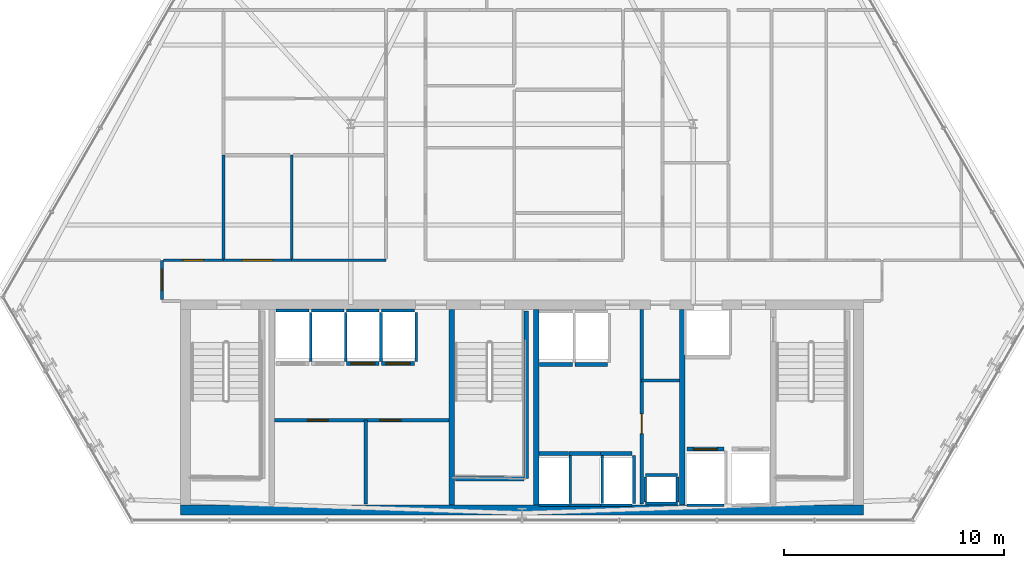
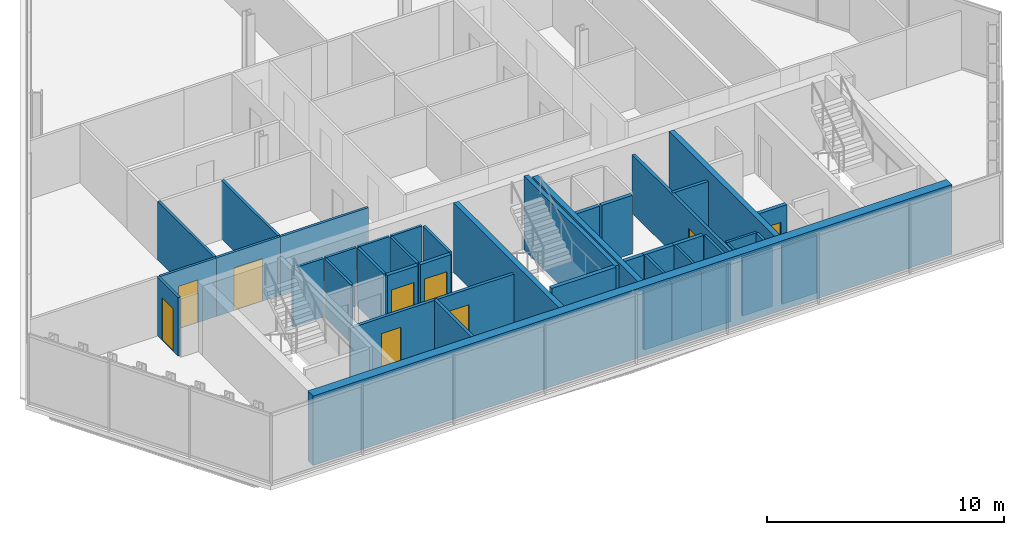
# One storey, part 25 of 31: 43 walls, 9 doors, 9 openings.
"""IFC4 building model written with IfcOpenShell, lengths in metres."""

from ifc_helpers import new_model, si_unit, direction, frame, frame_2d, origin, place, context, subcontext, project, spatial, rectangle, extrude, material, layer, layer_set, type_object, element, fill, save


model = new_model("IFC4")

# Units and contexts
model_context = context("Model", 3, precision=1e-05, world=origin(), true_north=direction((0.0, 1.0)))
body_context = subcontext(model_context, "Body", "Model", "MODEL_VIEW")
ifc_project = project(units=[si_unit("LENGTHUNIT", "METRE"), si_unit("AREAUNIT", "SQUARE_METRE"), si_unit("VOLUMEUNIT", "CUBIC_METRE"), si_unit("PLANEANGLEUNIT", "RADIAN"), si_unit("MASSUNIT", "GRAM", prefix="KILO")], contexts=[model_context])

# Site, building, storey
site_placement = place(None, origin())
site = spatial("IfcSite", under=ifc_project, at=site_placement, CompositionType="ELEMENT")
building_placement = place(site_placement, origin())
building = spatial("IfcBuilding", under=site, at=building_placement, Name="Ndaravel Arena Tower", CompositionType="ELEMENT")
storey_placement = place(building_placement, frame((0.0, 0.0, 138.39990234375)))
storey = spatial("IfcBuildingStorey", under=building, at=storey_placement, Name="L32", CompositionType="ELEMENT", Elevation=138.39990234375)

# Wall, opening, door
ifc_material_1 = material(Name="Gypsum", Category="gypsum")
ifc_layer_1 = layer(ifc_material_1, 0.14990234375)
ifc_layer_set_1 = layer_set([ifc_layer_1], Name="Gypsum")
wall_type_1 = type_object("IfcWallType", Name="WALL-COMP-150", PredefinedType="PARTITIONING", material=ifc_layer_set_1)
wall_1_placement = place(storey_placement, frame((47.449951171875, 5.89990234375, 0.0), z_axis=(0.0, 0.0, 1.0), x_axis=(0.0, 1.0, 0.0)))
wall_1 = element("IfcWall", 1, at=wall_1_placement, inside=storey, type_object=wall_type_1, Name="L32 Core Riser Bay Partition", PredefinedType="PARTITIONING", context=body_context, shape_type="SweptSolid", body=[
    extrude(rectangle(XDim=8.85009765625, YDim=0.14990234375, at=frame_2d((4.425048828125, 0.0))), origin(), (0.0, 0.0, 1.0), 3.010498046875),
])
opening_1_placement = place(wall_1_placement, frame((3.199951171875, 0.0, 0.0)))
opening_1 = element("IfcOpeningElement", 2, at=opening_1_placement, cuts=wall_1, Name="Opening RD-01", PredefinedType="OPENING", context=body_context, shape_type="SweptSolid", body=[
    extrude(rectangle(XDim=0.89990234375, YDim=2.10009765625, at=frame_2d((0.449951171875, 1.050048828125))), frame((0.0, 0.074951171875, 0.0), z_axis=(0.0, -1.0, 0.0), x_axis=(1.0, 0.0, 0.0)), (0.0, 0.0, 1.0), 0.14990234375),
])
ifc_material_2 = material(Name="Steel S355", Category="steel")
door_type_1 = type_object("IfcDoorType", Name="DT-08-RISER-900", OperationType="SINGLE_SWING_LEFT", PredefinedType="DOOR", material=ifc_material_2)
door_1_placement = place(opening_1_placement, origin())
door_1 = element("IfcDoor", 3, at=door_1_placement, inside=storey, type_object=door_type_1, Name="L32 Sub-Metering Closet Door", OperationType="SINGLE_SWING_LEFT", OverallHeight=2.10009765625, OverallWidth=0.89990234375, PredefinedType="DOOR", context=body_context, shape_type="SweptSolid", body=[
    extrude(rectangle(XDim=0.89990234375, YDim=2.10009765625, at=frame_2d((0.449951171875, 1.050048828125))), frame((0.0, 0.02490234375, 0.0), z_axis=(0.0, -1.0, 0.0), x_axis=(1.0, 0.0, 0.0)), (0.0, 0.0, 1.0), 0.050048828125),
])
fill(opening_1, door_1)

# Wall
wall_2_placement = place(storey_placement, frame((47.449951171875, 11.52001953125, 0.0), z_axis=(0.0, 0.0, 1.0), x_axis=(1.0, 0.0, 0.0)))
element("IfcWall", 4, at=wall_2_placement, inside=storey, type_object=wall_type_1, Name="L32 Core Riser Divider 1", PredefinedType="PARTITIONING", context=body_context, shape_type="SweptSolid", body=[
    extrude(rectangle(XDim=1.72998046875, YDim=0.14990234375, at=frame_2d((0.864990234375, 0.0))), origin(), (0.0, 0.0, 1.0), 3.010498046875),
])

# Wall, openings, doors
wall_3_placement = place(storey_placement, frame((30.719970703125, 9.719970703125, 0.0), z_axis=(0.0, 0.0, 1.0), x_axis=(1.0, 0.0, 0.0)))
wall_3 = element("IfcWall", 5, at=wall_3_placement, inside=storey, type_object=wall_type_1, Name="L32 Reclaimed Shaft Partition", PredefinedType="PARTITIONING", context=body_context, shape_type="SweptSolid", body=[
    extrude(rectangle(XDim=7.9599609375, YDim=0.14990234375, at=frame_2d((3.97998046875, 0.0))), origin(), (0.0, 0.0, 1.0), 3.010498046875),
])
opening_2_placement = place(wall_3_placement, frame((1.5, 0.0, 0.0)))
opening_2 = element("IfcOpeningElement", 6, at=opening_2_placement, cuts=wall_3, Name="Opening FD-03", PredefinedType="OPENING", context=body_context, shape_type="SweptSolid", body=[
    extrude(rectangle(XDim=0.949951171875, YDim=2.199951171875, at=frame_2d((0.47509765625, 1.10009765625))), frame((0.0, 0.074951171875, 0.0), z_axis=(0.0, -1.0, 0.0), x_axis=(1.0, 0.0, 0.0)), (0.0, 0.0, 1.0), 0.14990234375),
])
opening_3_placement = place(wall_3_placement, frame((4.81005859375, 0.0, 0.0)))
opening_3 = element("IfcOpeningElement", 7, at=opening_3_placement, cuts=wall_3, Name="Opening FD-03", PredefinedType="OPENING", context=body_context, shape_type="SweptSolid", body=[
    extrude(rectangle(XDim=0.949951171875, YDim=2.199951171875, at=frame_2d((0.47509765625, 1.10009765625))), frame((0.0, 0.074951171875, 0.0), z_axis=(0.0, -1.0, 0.0), x_axis=(1.0, 0.0, 0.0)), (0.0, 0.0, 1.0), 0.14990234375),
])
ifc_material_3 = material(Name="Steel S355", Category="steel")
door_type_2 = type_object("IfcDoorType", Name="DT-11-CORE-950", OperationType="SINGLE_SWING_LEFT", PredefinedType="DOOR", material=ifc_material_3)
door_2_placement = place(opening_2_placement, origin())
door_2 = element("IfcDoor", 8, at=door_2_placement, inside=storey, type_object=door_type_2, Name="L32 ICT Server Room Door", OperationType="SINGLE_SWING_LEFT", OverallHeight=2.199951171875, OverallWidth=0.949951171875, PredefinedType="DOOR", context=body_context, shape_type="SweptSolid", body=[
    extrude(rectangle(XDim=0.949951171875, YDim=2.199951171875, at=frame_2d((0.47509765625, 1.10009765625))), frame((0.0, 0.02490234375, 0.0), z_axis=(0.0, -1.0, 0.0), x_axis=(1.0, 0.0, 0.0)), (0.0, 0.0, 1.0), 0.050048828125),
])
fill(opening_2, door_2)
door_3_placement = place(opening_3_placement, origin())
door_3 = element("IfcDoor", 9, at=door_3_placement, inside=storey, type_object=door_type_2, Name="L32 Core Archive Room Door", OperationType="SINGLE_SWING_RIGHT", OverallHeight=2.199951171875, OverallWidth=0.949951171875, PredefinedType="DOOR", context=body_context, shape_type="SweptSolid", body=[
    extrude(rectangle(XDim=0.949951171875, YDim=2.199951171875, at=frame_2d((0.47509765625, 1.10009765625))), frame((0.0, 0.02490234375, 0.0), z_axis=(0.0, -1.0, 0.0), x_axis=(1.0, 0.0, 0.0)), (0.0, 0.0, 1.0), 0.050048828125),
])
fill(opening_3, door_3)

# Walls
wall_4_placement = place(storey_placement, frame((34.8798828125, 5.89990234375, 0.0), z_axis=(0.0, 0.0, 1.0), x_axis=(0.0, 1.0, 0.0)))
element("IfcWall", 10, at=wall_4_placement, inside=storey, type_object=wall_type_1, Name="L32 Reclaimed Bay Divider", PredefinedType="PARTITIONING", context=body_context, shape_type="SweptSolid", body=[
    extrude(rectangle(XDim=3.820068359375, YDim=0.14990234375, at=frame_2d((1.91015625, 0.0))), origin(), (0.0, 0.0, 1.0), 3.010498046875),
])
ifc_material_4 = material(Name="Concrete C60/75", Category="concrete")
ifc_layer_2 = layer(ifc_material_4, 0.25)
ifc_layer_set_2 = layer_set([ifc_layer_2], Name="Concrete C60/75")
wall_type_2 = type_object("IfcWallType", Name="WALL-CORE-250", PredefinedType="SOLIDWALL", material=ifc_layer_set_2)
for number, where, z_axis, x_axis, name in (
    (11, (38.800048828125, 5.85009765625, 0.0), (0.0, 0.0, 1.0), (0.0, 1.0, 0.0), "L32 Core Web Shear Wall 2"),
    (12, (42.64990234375, 5.85009765625, 0.0), (0.0, 0.0, 1.0), (0.0, 1.0, 0.0), "L32 Core Web Shear Wall 3"),
    (13, (49.300048828125, 5.85009765625, 0.0), (0.0, 0.0, 1.0), (0.0, 1.0, 0.0), "L32 Core Web Shear Wall 4"),
):
    element("IfcWall", number, at=place(storey_placement, frame(where, z_axis=z_axis, x_axis=x_axis)), inside=storey, type_object=wall_type_2, Name=name, PredefinedType="SOLIDWALL", context=body_context, shape_type="SweptSolid", body=[
        extrude(rectangle(XDim=8.89990234375, YDim=0.25, at=frame_2d((4.449951171875, 0.0))), origin(), (0.0, 0.0, 1.0), 3.580078125),
    ])
ifc_material_5 = material(Name="Concrete C60/75", Category="concrete")
ifc_layer_3 = layer(ifc_material_5, 0.449951171875)
ifc_layer_set_3 = layer_set([ifc_layer_3], Name="Concrete C60/75")
wall_type_3 = type_object("IfcWallType", Name="WALL-CORE-450", PredefinedType="SOLIDWALL", material=ifc_layer_set_3)
wall_5_placement = place(storey_placement, frame((26.449951171875, 5.625, 0.0), z_axis=(0.0, 0.0, 1.0), x_axis=(1.0, 0.0, 0.0)))
element("IfcWall", 14, at=wall_5_placement, inside=storey, type_object=wall_type_3, Name="L32 Core South Shear Wall", PredefinedType="SOLIDWALL", context=body_context, shape_type="SweptSolid", body=[
    extrude(rectangle(XDim=31.10009765625, YDim=0.449951171875, at=frame_2d((15.550048828125, 0.0))), origin(), (0.0, 0.0, 1.0), 3.580078125),
])

# Wall, opening, door
ifc_material_6 = material(Name="Gypsum", Category="gypsum")
ifc_layer_4 = layer(ifc_material_6, 0.125)
ifc_layer_set_4 = layer_set([ifc_layer_4], Name="Gypsum")
wall_type_4 = type_object("IfcWallType", Name="WALL-PART-125", PredefinedType="PARTITIONING", material=ifc_layer_set_4)
wall_6_placement = place(storey_placement, frame((25.60009765625, 15.215087890625, 0.0), z_axis=(0.0, 0.0, 1.0), x_axis=(0.0, 1.0, 0.0)))
wall_6 = element("IfcWall", 15, at=wall_6_placement, inside=storey, type_object=wall_type_4, Name="L32 Interior Partition 004", PredefinedType="PARTITIONING", context=body_context, shape_type="SweptSolid", body=[
    extrude(rectangle(XDim=1.784912109375, YDim=0.125, at=frame_2d((0.892578125, 0.0))), origin(), (0.0, 0.0, 1.0), 3.010498046875),
])
opening_4_placement = place(wall_6_placement, frame((0.41748046875, 0.0, 0.0)))
opening_4 = element("IfcOpeningElement", 16, at=opening_4_placement, cuts=wall_6, Name="Opening ID-01", PredefinedType="OPENING", context=body_context, shape_type="SweptSolid", body=[
    extrude(rectangle(XDim=0.949951171875, YDim=2.199951171875, at=frame_2d((0.47509765625, 1.10009765625))), frame((0.0, 0.0625, 0.0), z_axis=(0.0, -1.0, 0.0), x_axis=(1.0, 0.0, 0.0)), (0.0, 0.0, 1.0), 0.125),
])
ifc_material_7 = material(Name="Timber", Category="wood")
door_type_3 = type_object("IfcDoorType", Name="DT-03-OFFICE-950", OperationType="SINGLE_SWING_LEFT", PredefinedType="DOOR", material=ifc_material_7)
door_4_placement = place(opening_4_placement, origin())
door_4 = element("IfcDoor", 17, at=door_4_placement, inside=storey, type_object=door_type_3, Name="L32 Executive Boardroom Door", OperationType="SINGLE_SWING_LEFT", OverallHeight=2.199951171875, OverallWidth=0.949951171875, PredefinedType="DOOR", context=body_context, shape_type="SweptSolid", body=[
    extrude(rectangle(XDim=0.949951171875, YDim=2.199951171875, at=frame_2d((0.47509765625, 1.10009765625))), frame((0.0, 0.02490234375, 0.0), z_axis=(0.0, -1.0, 0.0), x_axis=(1.0, 0.0, 0.0)), (0.0, 0.0, 1.0), 0.050048828125),
])
fill(opening_4, door_4)

wall_7_placement = place(storey_placement, frame((25.6650390625, 17.0, 0.0), z_axis=(0.0, 0.0, 1.0), x_axis=(1.0, 0.0, 0.0)))
wall_7 = element("IfcWall", 18, at=wall_7_placement, inside=storey, type_object=wall_type_4, Name="L32 Interior Partition 005", PredefinedType="PARTITIONING", context=body_context, shape_type="SweptSolid", body=[
    extrude(rectangle(XDim=2.73486328125, YDim=0.125, at=frame_2d((1.367431640625, 0.0))), origin(), (0.0, 0.0, 1.0), 3.010498046875),
])
opening_5_placement = place(wall_7_placement, frame((0.892578125, 0.0, 0.0)))
opening_5 = element("IfcOpeningElement", 19, at=opening_5_placement, cuts=wall_7, Name="Opening ID-01", PredefinedType="OPENING", context=body_context, shape_type="SweptSolid", body=[
    extrude(rectangle(XDim=0.949951171875, YDim=2.199951171875, at=frame_2d((0.47509765625, 1.10009765625))), frame((0.0, 0.0625, 0.0), z_axis=(0.0, -1.0, 0.0), x_axis=(1.0, 0.0, 0.0)), (0.0, 0.0, 1.0), 0.125),
])
door_5_placement = place(opening_5_placement, origin())
door_5 = element("IfcDoor", 20, at=door_5_placement, inside=storey, type_object=door_type_3, Name="L32 Training Classroom 4 Door", OperationType="SINGLE_SWING_LEFT", OverallHeight=2.199951171875, OverallWidth=0.949951171875, PredefinedType="DOOR", context=body_context, shape_type="SweptSolid", body=[
    extrude(rectangle(XDim=0.949951171875, YDim=2.199951171875, at=frame_2d((0.47509765625, 1.10009765625))), frame((0.0, 0.02490234375, 0.0), z_axis=(0.0, -1.0, 0.0), x_axis=(1.0, 0.0, 0.0)), (0.0, 0.0, 1.0), 0.050048828125),
])
fill(opening_5, door_5)

wall_8_placement = place(storey_placement, frame((28.39990234375, 17.0, 0.0), z_axis=(0.0, 0.0, 1.0), x_axis=(1.0, 0.0, 0.0)))
wall_8 = element("IfcWall", 21, at=wall_8_placement, inside=storey, type_object=wall_type_4, Name="L32 Interior Partition 006", PredefinedType="PARTITIONING", context=body_context, shape_type="SweptSolid", body=[
    extrude(rectangle(XDim=3.108154296875, YDim=0.125, at=frame_2d((1.55419921875, 0.0))), origin(), (0.0, 0.0, 1.0), 3.010498046875),
])
opening_6_placement = place(wall_8_placement, frame((0.85400390625, 0.0, 0.0)))
opening_6 = element("IfcOpeningElement", 22, at=opening_6_placement, cuts=wall_8, Name="Opening ID-02", PredefinedType="OPENING", context=body_context, shape_type="SweptSolid", body=[
    extrude(rectangle(XDim=1.39990234375, YDim=2.199951171875, at=frame_2d((0.699951171875, 1.10009765625))), frame((0.0, 0.0625, 0.0), z_axis=(0.0, -1.0, 0.0), x_axis=(1.0, 0.0, 0.0)), (0.0, 0.0, 1.0), 0.125),
])
ifc_material_8 = material(Name="Timber", Category="wood")
door_type_4 = type_object("IfcDoorType", Name="DT-04-SUITE-1400", OperationType="DOUBLE_DOOR_SINGLE_SWING", PredefinedType="DOOR", material=ifc_material_8)
door_6_placement = place(opening_6_placement, origin())
door_6 = element("IfcDoor", 23, at=door_6_placement, inside=storey, type_object=door_type_4, Name="L32 Client Conference Room 2 Door", OperationType="SINGLE_SWING_LEFT", OverallHeight=2.199951171875, OverallWidth=1.39990234375, PredefinedType="DOOR", context=body_context, shape_type="SweptSolid", body=[
    extrude(rectangle(XDim=1.39990234375, YDim=2.199951171875, at=frame_2d((0.699951171875, 1.10009765625))), frame((0.0, 0.02490234375, 0.0), z_axis=(0.0, -1.0, 0.0), x_axis=(1.0, 0.0, 0.0)), (0.0, 0.0, 1.0), 0.050048828125),
])
fill(opening_6, door_6)

# Walls
wall_9_placement = place(storey_placement, frame((31.508056640625, 17.0, 0.0), z_axis=(0.0, 0.0, 1.0), x_axis=(1.0, 0.0, 0.0)))
element("IfcWall", 24, at=wall_9_placement, inside=storey, type_object=wall_type_4, Name="L32 Interior Partition 007", PredefinedType="PARTITIONING", context=body_context, shape_type="SweptSolid", body=[
    extrude(rectangle(XDim=4.2919921875, YDim=0.125, at=frame_2d((2.14599609375, 0.0))), origin(), (0.0, 0.0, 1.0), 3.010498046875),
])
for number, where, z_axis, x_axis, name in (
    (25, (31.508056640625, 21.7880859375, 0.0), (0.0, 0.0, 1.0), (0.0, -1.0, 0.0), "L32 Interior Partition 036"),
    (26, (28.39990234375, 17.06494140625, 0.0), (0.0, 0.0, 1.0), (0.0, 1.0, 0.0), "L32 Interior Partition 037"),
):
    element("IfcWall", number, at=place(storey_placement, frame(where, z_axis=z_axis, x_axis=x_axis)), inside=storey, type_object=wall_type_4, Name=name, PredefinedType="PARTITIONING", context=body_context, shape_type="SweptSolid", body=[
        extrude(rectangle(XDim=4.72314453125, YDim=0.125, at=frame_2d((2.361572265625, 0.0))), origin(), (0.0, 0.0, 1.0), 3.010498046875),
    ])
ifc_material_9 = material(Name="Concrete C40/50", Category="concrete")
ifc_layer_5 = layer(ifc_material_9, 0.1201171875)
ifc_layer_set_5 = layer_set([ifc_layer_5], Name="Concrete C40/50")
wall_type_5 = type_object("IfcWallType", Name="WALL-SHAFT-120", PredefinedType="SOLIDWALL", material=ifc_layer_set_5)
for number, where, z_axis, x_axis, name in (
    (27, (47.6201171875, 5.919921875, 0.0), (0.0, 0.0, 1.0), (1.0, 0.0, 0.0), "L32 MEP Riser Shaft S Wall"),
    (28, (47.6201171875, 7.219970703125, 0.0), (0.0, 0.0, 1.0), (1.0, 0.0, 0.0), "L32 MEP Riser Shaft N Wall"),
):
    element("IfcWall", number, at=place(storey_placement, frame(where, z_axis=z_axis, x_axis=x_axis)), inside=storey, type_object=wall_type_5, Name=name, PredefinedType="SOLIDWALL", context=body_context, shape_type="SweptSolid", body=[
        extrude(rectangle(XDim=1.4599609375, YDim=0.1201171875, at=frame_2d((0.72998046875, 0.0))), origin(), (0.0, 0.0, 1.0), 3.010498046875),
    ])
for number, where, z_axis, x_axis, name in (
    (29, (47.6201171875, 6.0, 0.0), (0.0, 0.0, 1.0), (0.0, 1.0, 0.0), "L32 MEP Riser Shaft W Wall"),
    (30, (49.080078125, 6.0, 0.0), (0.0, 0.0, 1.0), (0.0, 1.0, 0.0), "L32 MEP Riser Shaft E Wall"),
):
    element("IfcWall", number, at=place(storey_placement, frame(where, z_axis=z_axis, x_axis=x_axis)), inside=storey, type_object=wall_type_5, Name=name, PredefinedType="SOLIDWALL", context=body_context, shape_type="SweptSolid", body=[
        extrude(rectangle(XDim=1.139892578125, YDim=0.1201171875, at=frame_2d((0.56982421875, 0.0))), origin(), (0.0, 0.0, 1.0), 3.010498046875),
    ])
wall_10_placement = place(storey_placement, frame((30.804931640625, 14.7099609375, 0.0), z_axis=(0.0, 0.0, 1.0), x_axis=(1.0, 0.0, 0.0)))
element("IfcWall", 31, at=wall_10_placement, inside=storey, type_object=wall_type_5, Name="L32 PL-M1 Shaft Rear Wall", PredefinedType="SOLIDWALL", context=body_context, shape_type="SweptSolid", body=[
    extrude(rectangle(XDim=1.489990234375, YDim=0.1201171875, at=frame_2d((0.7451171875, 0.0))), origin(), (0.0, 0.0, 1.0), 3.010498046875),
])
wall_11_placement = place(storey_placement, frame((32.375, 12.389892578125, 0.0), z_axis=(0.0, 0.0, 1.0), x_axis=(0.0, 1.0, 0.0)))
element("IfcWall", 32, at=wall_11_placement, inside=storey, type_object=wall_type_5, Name="L32 PL-M1 Shaft Side R Wall", PredefinedType="SOLIDWALL", context=body_context, shape_type="SweptSolid", body=[
    extrude(rectangle(XDim=2.230224609375, YDim=0.1201171875, at=frame_2d((1.115234375, 0.0))), origin(), (0.0, 0.0, 1.0), 3.010498046875),
])
wall_12_placement = place(storey_placement, frame((32.405029296875, 14.7099609375, 0.0), z_axis=(0.0, 0.0, 1.0), x_axis=(1.0, 0.0, 0.0)))
element("IfcWall", 33, at=wall_12_placement, inside=storey, type_object=wall_type_5, Name="L32 PL-M2 Shaft Rear Wall", PredefinedType="SOLIDWALL", context=body_context, shape_type="SweptSolid", body=[
    extrude(rectangle(XDim=1.489990234375, YDim=0.1201171875, at=frame_2d((0.7451171875, 0.0))), origin(), (0.0, 0.0, 1.0), 3.010498046875),
])
wall_13_placement = place(storey_placement, frame((33.97509765625, 12.389892578125, 0.0), z_axis=(0.0, 0.0, 1.0), x_axis=(0.0, 1.0, 0.0)))
element("IfcWall", 34, at=wall_13_placement, inside=storey, type_object=wall_type_5, Name="L32 PL-M2 Shaft Side R Wall", PredefinedType="SOLIDWALL", context=body_context, shape_type="SweptSolid", body=[
    extrude(rectangle(XDim=2.230224609375, YDim=0.1201171875, at=frame_2d((1.115234375, 0.0))), origin(), (0.0, 0.0, 1.0), 3.010498046875),
])
wall_14_placement = place(storey_placement, frame((34.0048828125, 14.7099609375, 0.0), z_axis=(0.0, 0.0, 1.0), x_axis=(1.0, 0.0, 0.0)))
element("IfcWall", 35, at=wall_14_placement, inside=storey, type_object=wall_type_5, Name="L32 PL-M3 Shaft Rear Wall", PredefinedType="SOLIDWALL", context=body_context, shape_type="SweptSolid", body=[
    extrude(rectangle(XDim=1.490234375, YDim=0.1201171875, at=frame_2d((0.7451171875, 0.0))), origin(), (0.0, 0.0, 1.0), 3.010498046875),
])
wall_15_placement = place(storey_placement, frame((35.574951171875, 12.389892578125, 0.0), z_axis=(0.0, 0.0, 1.0), x_axis=(0.0, 1.0, 0.0)))
element("IfcWall", 36, at=wall_15_placement, inside=storey, type_object=wall_type_5, Name="L32 PL-M3 Shaft Side R Wall", PredefinedType="SOLIDWALL", context=body_context, shape_type="SweptSolid", body=[
    extrude(rectangle(XDim=2.230224609375, YDim=0.1201171875, at=frame_2d((1.115234375, 0.0))), origin(), (0.0, 0.0, 1.0), 3.010498046875),
])
wall_16_placement = place(storey_placement, frame((35.60498046875, 14.7099609375, 0.0), z_axis=(0.0, 0.0, 1.0), x_axis=(1.0, 0.0, 0.0)))
element("IfcWall", 37, at=wall_16_placement, inside=storey, type_object=wall_type_5, Name="L32 PL-M4 Shaft Rear Wall", PredefinedType="SOLIDWALL", context=body_context, shape_type="SweptSolid", body=[
    extrude(rectangle(XDim=1.489990234375, YDim=0.1201171875, at=frame_2d((0.7451171875, 0.0))), origin(), (0.0, 0.0, 1.0), 3.010498046875),
])
wall_17_placement = place(storey_placement, frame((37.175048828125, 12.389892578125, 0.0), z_axis=(0.0, 0.0, 1.0), x_axis=(0.0, 1.0, 0.0)))
element("IfcWall", 38, at=wall_17_placement, inside=storey, type_object=wall_type_5, Name="L32 PL-M4 Shaft Side R Wall", PredefinedType="SOLIDWALL", context=body_context, shape_type="SweptSolid", body=[
    extrude(rectangle(XDim=2.230224609375, YDim=0.1201171875, at=frame_2d((1.115234375, 0.0))), origin(), (0.0, 0.0, 1.0), 3.010498046875),
])
wall_18_placement = place(storey_placement, frame((42.780029296875, 5.840087890625, 0.0), z_axis=(0.0, 0.0, 1.0), x_axis=(1.0, 0.0, 0.0)))
element("IfcWall", 39, at=wall_18_placement, inside=storey, type_object=wall_type_5, Name="L32 PL-H1 Shaft Rear Wall", PredefinedType="SOLIDWALL", context=body_context, shape_type="SweptSolid", body=[
    extrude(rectangle(XDim=1.340087890625, YDim=0.1201171875, at=frame_2d((0.669921875, 0.0))), origin(), (0.0, 0.0, 1.0), 3.010498046875),
])
wall_19_placement = place(storey_placement, frame((44.199951171875, 5.929931640625, 0.0), z_axis=(0.0, 0.0, 1.0), x_axis=(0.0, 1.0, 0.0)))
element("IfcWall", 40, at=wall_19_placement, inside=storey, type_object=wall_type_5, Name="L32 PL-H1 Shaft Side R Wall", PredefinedType="SOLIDWALL", context=body_context, shape_type="SweptSolid", body=[
    extrude(rectangle(XDim=2.18017578125, YDim=0.1201171875, at=frame_2d((1.090087890625, 0.0))), origin(), (0.0, 0.0, 1.0), 3.010498046875),
])
wall_20_placement = place(storey_placement, frame((44.1298828125, 5.840087890625, 0.0), z_axis=(0.0, 0.0, 1.0), x_axis=(1.0, 0.0, 0.0)))
element("IfcWall", 41, at=wall_20_placement, inside=storey, type_object=wall_type_5, Name="L32 PL-H2 Shaft Rear Wall", PredefinedType="SOLIDWALL", context=body_context, shape_type="SweptSolid", body=[
    extrude(rectangle(XDim=1.440185546875, YDim=0.1201171875, at=frame_2d((0.72021484375, 0.0))), origin(), (0.0, 0.0, 1.0), 3.010498046875),
])
wall_21_placement = place(storey_placement, frame((45.64990234375, 5.929931640625, 0.0), z_axis=(0.0, 0.0, 1.0), x_axis=(0.0, 1.0, 0.0)))
element("IfcWall", 42, at=wall_21_placement, inside=storey, type_object=wall_type_5, Name="L32 PL-H2 Shaft Side R Wall", PredefinedType="SOLIDWALL", context=body_context, shape_type="SweptSolid", body=[
    extrude(rectangle(XDim=2.18017578125, YDim=0.1201171875, at=frame_2d((1.090087890625, 0.0))), origin(), (0.0, 0.0, 1.0), 3.010498046875),
])
wall_22_placement = place(storey_placement, frame((45.580078125, 5.840087890625, 0.0), z_axis=(0.0, 0.0, 1.0), x_axis=(1.0, 0.0, 0.0)))
element("IfcWall", 43, at=wall_22_placement, inside=storey, type_object=wall_type_5, Name="L32 PL-H3 Shaft Rear Wall", PredefinedType="SOLIDWALL", context=body_context, shape_type="SweptSolid", body=[
    extrude(rectangle(XDim=1.43994140625, YDim=0.1201171875, at=frame_2d((0.719970703125, 0.0))), origin(), (0.0, 0.0, 1.0), 3.010498046875),
])
wall_23_placement = place(storey_placement, frame((47.10009765625, 5.929931640625, 0.0), z_axis=(0.0, 0.0, 1.0), x_axis=(0.0, 1.0, 0.0)))
element("IfcWall", 44, at=wall_23_placement, inside=storey, type_object=wall_type_5, Name="L32 PL-H3 Shaft Side R Wall", PredefinedType="SOLIDWALL", context=body_context, shape_type="SweptSolid", body=[
    extrude(rectangle(XDim=2.18017578125, YDim=0.1201171875, at=frame_2d((1.090087890625, 0.0))), origin(), (0.0, 0.0, 1.0), 3.010498046875),
])
wall_24_placement = place(storey_placement, frame((49.5048828125, 5.840087890625, 0.0), z_axis=(0.0, 0.0, 1.0), x_axis=(1.0, 0.0, 0.0)))
element("IfcWall", 45, at=wall_24_placement, inside=storey, type_object=wall_type_5, Name="L32 FFL-1 Shaft Rear Wall", PredefinedType="SOLIDWALL", context=body_context, shape_type="SweptSolid", body=[
    extrude(rectangle(XDim=1.690185546875, YDim=0.1201171875, at=frame_2d((0.84521484375, 0.0))), origin(), (0.0, 0.0, 1.0), 3.010498046875),
])
ifc_material_10 = material(Name="Concrete C40/50", Category="concrete")
ifc_layer_6 = layer(ifc_material_10, 0.199951171875)
ifc_layer_set_6 = layer_set([ifc_layer_6], Name="Concrete C40/50")
wall_type_6 = type_object("IfcWallType", Name="WALL-SHAFT-200", PredefinedType="SOLIDWALL", material=ifc_layer_set_6)
wall_25_placement = place(storey_placement, frame((42.18994140625, 14.699951171875, 0.0), z_axis=(0.0, 0.0, 1.0), x_axis=(0.0, -1.0, 0.0)))
element("IfcWall", 46, at=wall_25_placement, inside=storey, type_object=wall_type_6, Name="L32 ST-2 Structural Shaft Wall Right", PredefinedType="SOLIDWALL", context=body_context, shape_type="SweptSolid", body=[
    extrude(rectangle(XDim=7.64990234375, YDim=0.199951171875, at=frame_2d((3.824951171875, 0.0))), origin(), (0.0, 0.0, 1.0), 3.800048828125),
])
wall_26_placement = place(storey_placement, frame((38.969970703125, 7.050048828125, 0.0), z_axis=(0.0, 0.0, 1.0), x_axis=(1.0, 0.0, 0.0)))
element("IfcWall", 47, at=wall_26_placement, inside=storey, type_object=wall_type_6, Name="L32 ST-2 Structural Shaft Wall Far", PredefinedType="SOLIDWALL", context=body_context, shape_type="SweptSolid", body=[
    extrude(rectangle(XDim=3.114990234375, YDim=0.199951171875, at=frame_2d((1.5576171875, 0.0))), origin(), (0.0, 0.0, 1.0), 3.800048828125),
])

# Wall, opening, door
wall_27_placement = place(storey_placement, frame((34.0048828125, 12.300048828125, 0.0), z_axis=(0.0, 0.0, 1.0), x_axis=(1.0, 0.0, 0.0)))
wall_27 = element("IfcWall", 48, at=wall_27_placement, inside=storey, type_object=wall_type_6, Name="L32 PL-M3 Shaft Landing Wall", PredefinedType="SOLIDWALL", context=body_context, shape_type="SweptSolid", body=[
    extrude(rectangle(XDim=1.490234375, YDim=0.179931640625, at=frame_2d((0.7451171875, 0.0))), origin(), (0.0, 0.0, 1.0), 3.010498046875),
])
opening_7_placement = place(wall_27_placement, frame((0.195068359375, 0.0, 0.0)))
opening_7 = element("IfcOpeningElement", 49, at=opening_7_placement, cuts=wall_27, Name="Opening LD-01", PredefinedType="OPENING", context=body_context, shape_type="SweptSolid", body=[
    extrude(rectangle(XDim=1.10009765625, YDim=2.199951171875, at=frame_2d((0.550048828125, 1.10009765625))), frame((0.0, 0.08984375, 0.0), z_axis=(0.0, -1.0, 0.0), x_axis=(1.0, 0.0, 0.0)), (0.0, 0.0, 1.0), 0.179931640625),
])
ifc_material_11 = material(Name="Steel S355", Category="steel")
door_type_5 = type_object("IfcDoorType", Name="DT-06-LIFT-1100", OperationType="SLIDING_TO_LEFT", PredefinedType="DOOR", material=ifc_material_11)
door_7_placement = place(opening_7_placement, origin())
door_7 = element("IfcDoor", 50, at=door_7_placement, inside=storey, type_object=door_type_5, Name="L32 Lift PL-M3 Sliding Landing Door", OperationType="SLIDING_TO_LEFT", OverallHeight=2.199951171875, OverallWidth=1.10009765625, PredefinedType="DOOR", context=body_context, shape_type="SweptSolid", body=[
    extrude(rectangle(XDim=1.10009765625, YDim=2.199951171875, at=frame_2d((0.550048828125, 1.10009765625))), frame((0.0, 0.02490234375, 0.0), z_axis=(0.0, -1.0, 0.0), x_axis=(1.0, 0.0, 0.0)), (0.0, 0.0, 1.0), 0.050048828125),
])
fill(opening_7, door_7)

wall_28_placement = place(storey_placement, frame((35.60498046875, 12.300048828125, 0.0), z_axis=(0.0, 0.0, 1.0), x_axis=(1.0, 0.0, 0.0)))
wall_28 = element("IfcWall", 51, at=wall_28_placement, inside=storey, type_object=wall_type_6, Name="L32 PL-M4 Shaft Landing Wall", PredefinedType="SOLIDWALL", context=body_context, shape_type="SweptSolid", body=[
    extrude(rectangle(XDim=1.489990234375, YDim=0.179931640625, at=frame_2d((0.7451171875, 0.0))), origin(), (0.0, 0.0, 1.0), 3.010498046875),
])
opening_8_placement = place(wall_28_placement, frame((0.195068359375, 0.0, 0.0)))
opening_8 = element("IfcOpeningElement", 52, at=opening_8_placement, cuts=wall_28, Name="Opening LD-01", PredefinedType="OPENING", context=body_context, shape_type="SweptSolid", body=[
    extrude(rectangle(XDim=1.10009765625, YDim=2.199951171875, at=frame_2d((0.550048828125, 1.10009765625))), frame((0.0, 0.08984375, 0.0), z_axis=(0.0, -1.0, 0.0), x_axis=(1.0, 0.0, 0.0)), (0.0, 0.0, 1.0), 0.179931640625),
])
door_8_placement = place(opening_8_placement, origin())
door_8 = element("IfcDoor", 53, at=door_8_placement, inside=storey, type_object=door_type_5, Name="L32 Lift PL-M4 Sliding Landing Door", OperationType="SLIDING_TO_LEFT", OverallHeight=2.199951171875, OverallWidth=1.10009765625, PredefinedType="DOOR", context=body_context, shape_type="SweptSolid", body=[
    extrude(rectangle(XDim=1.10009765625, YDim=2.199951171875, at=frame_2d((0.550048828125, 1.10009765625))), frame((0.0, 0.02490234375, 0.0), z_axis=(0.0, -1.0, 0.0), x_axis=(1.0, 0.0, 0.0)), (0.0, 0.0, 1.0), 0.050048828125),
])
fill(opening_8, door_8)

# Walls
wall_29_placement = place(storey_placement, frame((42.780029296875, 8.199951171875, 0.0), z_axis=(0.0, 0.0, 1.0), x_axis=(1.0, 0.0, 0.0)))
element("IfcWall", 54, at=wall_29_placement, inside=storey, type_object=wall_type_6, Name="L32 PL-H1 Shaft Landing Wall", PredefinedType="SOLIDWALL", context=body_context, shape_type="SweptSolid", body=[
    extrude(rectangle(XDim=1.340087890625, YDim=0.179931640625, at=frame_2d((0.669921875, 0.0))), origin(), (0.0, 0.0, 1.0), 3.010498046875),
])
wall_30_placement = place(storey_placement, frame((44.1298828125, 8.199951171875, 0.0), z_axis=(0.0, 0.0, 1.0), x_axis=(1.0, 0.0, 0.0)))
element("IfcWall", 55, at=wall_30_placement, inside=storey, type_object=wall_type_6, Name="L32 PL-H2 Shaft Landing Wall", PredefinedType="SOLIDWALL", context=body_context, shape_type="SweptSolid", body=[
    extrude(rectangle(XDim=1.440185546875, YDim=0.179931640625, at=frame_2d((0.72021484375, 0.0))), origin(), (0.0, 0.0, 1.0), 3.010498046875),
])
wall_31_placement = place(storey_placement, frame((45.580078125, 8.199951171875, 0.0), z_axis=(0.0, 0.0, 1.0), x_axis=(1.0, 0.0, 0.0)))
element("IfcWall", 56, at=wall_31_placement, inside=storey, type_object=wall_type_6, Name="L32 PL-H3 Shaft Landing Wall", PredefinedType="SOLIDWALL", context=body_context, shape_type="SweptSolid", body=[
    extrude(rectangle(XDim=1.43994140625, YDim=0.179931640625, at=frame_2d((0.719970703125, 0.0))), origin(), (0.0, 0.0, 1.0), 3.010498046875),
])
for number, where, z_axis, x_axis, name in (
    (57, (42.804931640625, 12.25, 0.0), (0.0, 0.0, 1.0), (1.0, 0.0, 0.0), "L32 PL-OBS1 Shaft Landing Wall"),
    (58, (44.405029296875, 12.25, 0.0), (0.0, 0.0, 1.0), (1.0, 0.0, 0.0), "L32 PL-OBS2 Shaft Landing Wall"),
):
    element("IfcWall", number, at=place(storey_placement, frame(where, z_axis=z_axis, x_axis=x_axis)), inside=storey, type_object=wall_type_6, Name=name, PredefinedType="SOLIDWALL", context=body_context, shape_type="SweptSolid", body=[
        extrude(rectangle(XDim=1.489990234375, YDim=0.179931640625, at=frame_2d((0.7451171875, 0.0))), origin(), (0.0, 0.0, 1.0), 3.010498046875),
    ])

# Wall, opening, door
wall_32_placement = place(storey_placement, frame((49.5048828125, 8.39990234375, 0.0), z_axis=(0.0, 0.0, 1.0), x_axis=(1.0, 0.0, 0.0)))
wall_32 = element("IfcWall", 59, at=wall_32_placement, inside=storey, type_object=wall_type_6, Name="L32 FFL-1 Shaft Landing Wall", PredefinedType="SOLIDWALL", context=body_context, shape_type="SweptSolid", body=[
    extrude(rectangle(XDim=1.690185546875, YDim=0.179931640625, at=frame_2d((0.84521484375, 0.0))), origin(), (0.0, 0.0, 1.0), 3.010498046875),
])
opening_9_placement = place(wall_32_placement, frame((0.294921875, 0.0, 0.0)))
opening_9 = element("IfcOpeningElement", 60, at=opening_9_placement, cuts=wall_32, Name="Opening LD-01", PredefinedType="OPENING", context=body_context, shape_type="SweptSolid", body=[
    extrude(rectangle(XDim=1.10009765625, YDim=2.199951171875, at=frame_2d((0.550048828125, 1.10009765625))), frame((0.0, 0.08984375, 0.0), z_axis=(0.0, -1.0, 0.0), x_axis=(1.0, 0.0, 0.0)), (0.0, 0.0, 1.0), 0.179931640625),
])
door_9_placement = place(opening_9_placement, origin())
door_9 = element("IfcDoor", 61, at=door_9_placement, inside=storey, type_object=door_type_5, Name="L32 Lift FFL-1 Sliding Landing Door", OperationType="SLIDING_TO_LEFT", OverallHeight=2.199951171875, OverallWidth=1.10009765625, PredefinedType="DOOR", context=body_context, shape_type="SweptSolid", body=[
    extrude(rectangle(XDim=1.10009765625, YDim=2.199951171875, at=frame_2d((0.550048828125, 1.10009765625))), frame((0.0, 0.02490234375, 0.0), z_axis=(0.0, -1.0, 0.0), x_axis=(1.0, 0.0, 0.0)), (0.0, 0.0, 1.0), 0.050048828125),
])
fill(opening_9, door_9)

save(model, "model.ifc")
